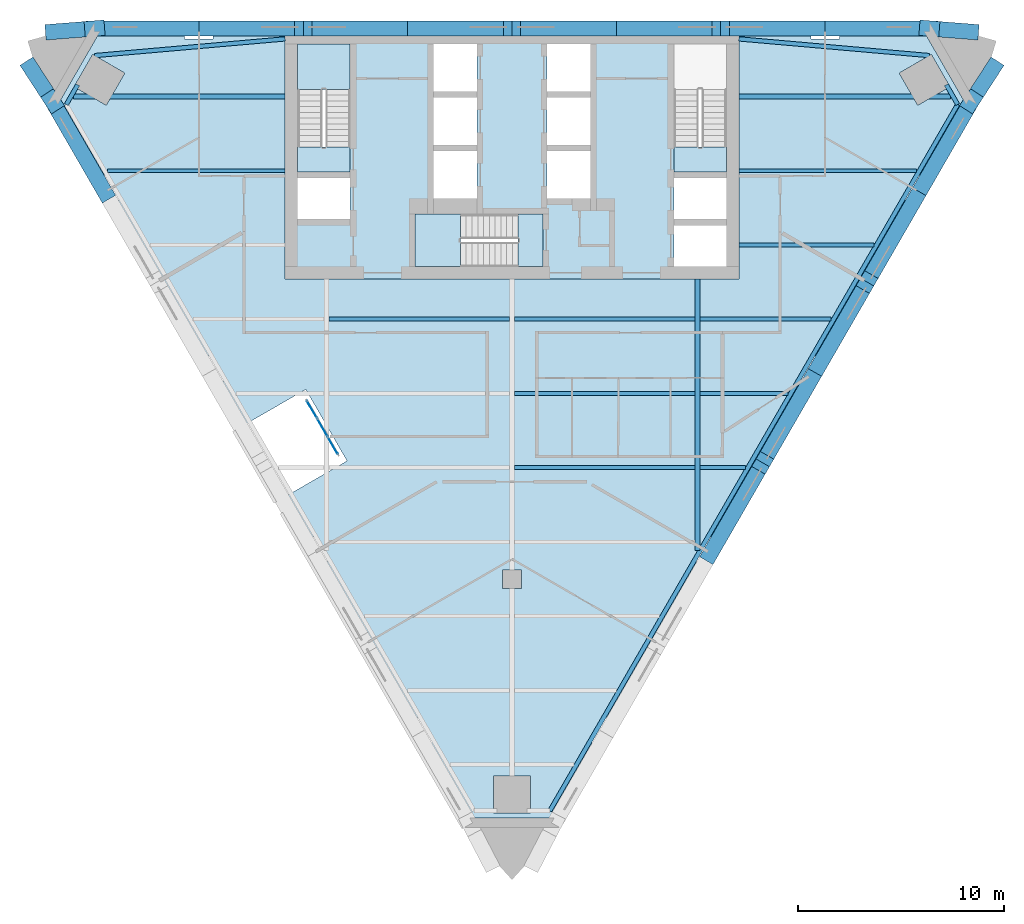
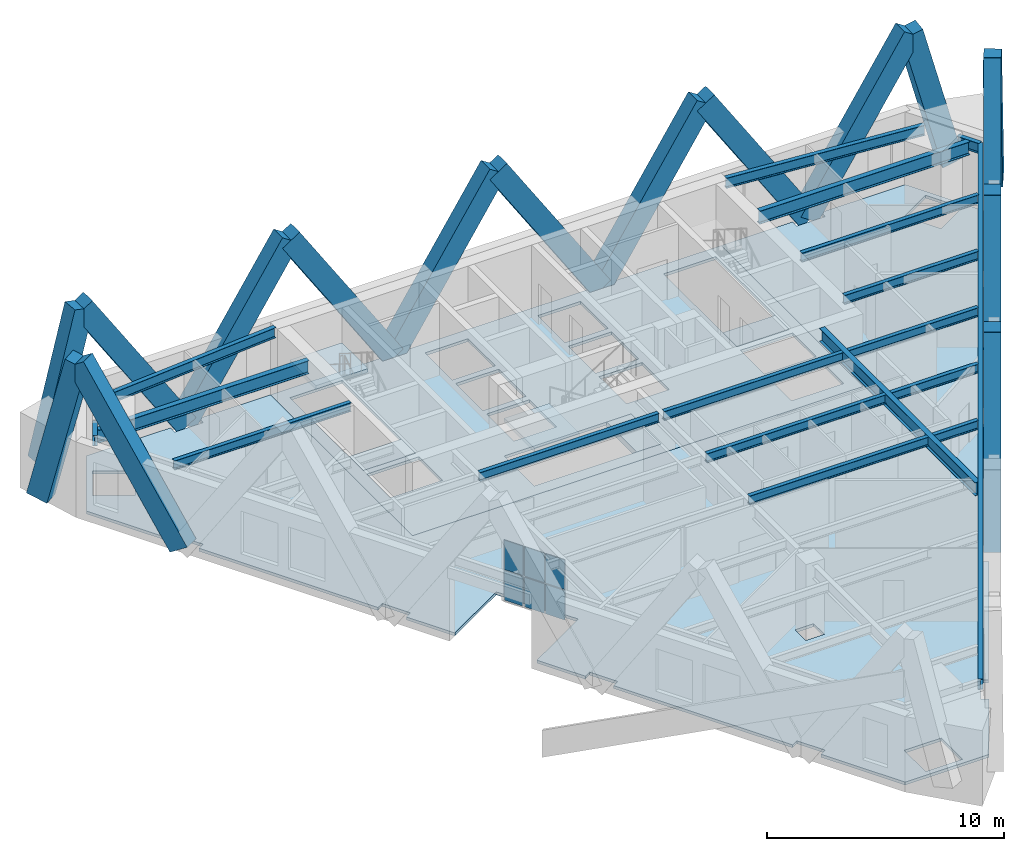
# One storey, part 3 of 9: 18 beams, 18 members, 7 slabs, 6 plates, 3 elements without a shape of their own.
"""IFC4 building model written with IfcOpenShell, lengths in metres."""

from ifc_helpers import new_model, si_unit, direction, frame, origin, origin_2d, place, context, subcontext, project, spatial, polyline, rectangle, i_section, outline, extrude, material, layer, layer_set, material_profile, profile_set, type_object, element, aggregate, save


model = new_model("IFC4")

# Units and contexts
model_context = context("Model", 3, precision=1e-05, world=origin(), true_north=direction((0.0, 1.0)))
body_context = subcontext(model_context, "Body", "Model", "MODEL_VIEW")
ifc_project = project(units=[si_unit("LENGTHUNIT", "METRE"), si_unit("AREAUNIT", "SQUARE_METRE"), si_unit("VOLUMEUNIT", "CUBIC_METRE"), si_unit("PLANEANGLEUNIT", "RADIAN"), si_unit("MASSUNIT", "GRAM", prefix="KILO")], contexts=[model_context])

# Site, building, storey
site_placement = place(None, origin())
site = spatial("IfcSite", under=ifc_project, at=site_placement, CompositionType="ELEMENT")
building_placement = place(site_placement, origin())
building = spatial("IfcBuilding", under=site, at=building_placement, Name="Aloe Facet Convention Tower", CompositionType="ELEMENT")
storey_placement = place(building_placement, frame((0.0, 0.0, 152.0)))
storey = spatial("IfcBuildingStorey", under=building, at=storey_placement, Name="L38", CompositionType="ELEMENT", Elevation=152.0)

# Beams
ifc_material_1 = material(Name="Steel S355", Category="steel")
ifc_material_profile_1 = material_profile(ifc_material_1, i_section(OverallWidth=0.19140625, OverallDepth=0.4599609375, WebThickness=0.010009765625, FlangeThickness=0.01611328125, FilletRadius=0.01025390625, at=origin_2d()), Name="UB 457x191x82")
ifc_profile_set_1 = profile_set([ifc_material_profile_1], Name="Steel S355")
beam_type_1 = type_object("IfcBeamType", Name="SF-B-UB457x191x82", PredefinedType="BEAM", material=ifc_profile_set_1)
beam_1_placement = place(storey_placement, frame((60.373779296875, 127.800048828125, 3.52001953125), z_axis=(1.0, 0.0, 0.0), x_axis=(0.0, 1.0, 0.0)))
element("IfcBeam", 1, at=beam_1_placement, inside=storey, type_object=beam_type_1, Name="Floor beam FB-Z3C-015", PredefinedType="BEAM", context=body_context, shape_type="SweptSolid", body=[
    extrude(i_section(OverallWidth=0.19140625, OverallDepth=0.4599609375, WebThickness=0.010009765625, FlangeThickness=0.01611328125, FilletRadius=0.01025390625, at=origin_2d()), origin(), (0.0, 0.0, 1.0), 8.626220703125),
])
for number, where, z_axis, x_axis, name in (
    (2, (71.12646484375, 120.60009765625, 3.52001953125), (1.0, 0.0, 0.0), (0.0, 1.0, 0.0), "Floor beam FB-Z3C-023"),
    (3, (80.12646484375, 113.39990234375, 3.52001953125), (1.0, 0.0, 0.0), (0.0, 1.0, 0.0), "Floor beam FB-Z3C-031"),
    (4, (80.12646484375, 117.0, 3.52001953125), (1.0, 0.0, 0.0), (0.0, 1.0, 0.0), "Floor beam FB-Z3C-032"),
    (5, (80.12646484375, 120.60009765625, 3.52001953125), (1.0, 0.0, 0.0), (0.0, 1.0, 0.0), "Floor beam FB-Z3C-033"),
):
    element("IfcBeam", number, at=place(storey_placement, frame(where, z_axis=z_axis, x_axis=x_axis)), inside=storey, type_object=beam_type_1, Name=name, PredefinedType="BEAM", context=body_context, shape_type="SweptSolid", body=[
        extrude(i_section(OverallWidth=0.19140625, OverallDepth=0.4599609375, WebThickness=0.010009765625, FlangeThickness=0.01611328125, FilletRadius=0.01025390625, at=origin_2d()), origin(), (0.0, 0.0, 1.0), 8.7470703125),
    ])
beam_2_placement = place(storey_placement, frame((89.12646484375, 113.39990234375, 3.52001953125), z_axis=(1.0, 0.0, 0.0), x_axis=(0.0, 1.0, 0.0)))
element("IfcBeam", 6, at=beam_2_placement, inside=storey, type_object=beam_type_1, Name="Floor beam FB-Z3C-034", PredefinedType="BEAM", context=body_context, shape_type="SweptSolid", body=[
    extrude(i_section(OverallWidth=0.19140625, OverallDepth=0.4599609375, WebThickness=0.010009765625, FlangeThickness=0.01611328125, FilletRadius=0.01025390625, at=origin_2d()), origin(), (0.0, 0.0, 1.0), 2.185791015625),
])
beam_3_placement = place(storey_placement, frame((89.12646484375, 117.0, 3.52001953125), z_axis=(1.0, 0.0, 0.0), x_axis=(0.0, 1.0, 0.0)))
element("IfcBeam", 7, at=beam_3_placement, inside=storey, type_object=beam_type_1, Name="Floor beam FB-Z3C-035", PredefinedType="BEAM", context=body_context, shape_type="SweptSolid", body=[
    extrude(i_section(OverallWidth=0.19140625, OverallDepth=0.4599609375, WebThickness=0.010009765625, FlangeThickness=0.01611328125, FilletRadius=0.01025390625, at=origin_2d()), origin(), (0.0, 0.0, 1.0), 4.264404296875),
])
beam_4_placement = place(storey_placement, frame((89.12646484375, 120.60009765625, 3.52001953125), z_axis=(1.0, 0.0, 0.0), x_axis=(0.0, 1.0, 0.0)))
element("IfcBeam", 8, at=beam_4_placement, inside=storey, type_object=beam_type_1, Name="Floor beam FB-Z3C-036", PredefinedType="BEAM", context=body_context, shape_type="SweptSolid", body=[
    extrude(i_section(OverallWidth=0.19140625, OverallDepth=0.4599609375, WebThickness=0.010009765625, FlangeThickness=0.01611328125, FilletRadius=0.01025390625, at=origin_2d()), origin(), (0.0, 0.0, 1.0), 6.3427734375),
])
beam_5_placement = place(storey_placement, frame((91.0, 124.199951171875, 3.52001953125), z_axis=(1.0, 0.0, 0.0), x_axis=(0.0, 1.0, 0.0)))
element("IfcBeam", 9, at=beam_5_placement, inside=storey, type_object=beam_type_1, Name="Floor beam FB-Z3C-037", PredefinedType="BEAM", context=body_context, shape_type="SweptSolid", body=[
    extrude(i_section(OverallWidth=0.19140625, OverallDepth=0.4599609375, WebThickness=0.010009765625, FlangeThickness=0.01611328125, FilletRadius=0.01025390625, at=origin_2d()), origin(), (0.0, 0.0, 1.0), 6.547607421875),
])
beam_6_placement = place(storey_placement, frame((91.0, 127.800048828125, 3.52001953125), z_axis=(1.0, 0.0, 0.0), x_axis=(0.0, 1.0, 0.0)))
element("IfcBeam", 10, at=beam_6_placement, inside=storey, type_object=beam_type_1, Name="Floor beam FB-Z3C-038", PredefinedType="BEAM", context=body_context, shape_type="SweptSolid", body=[
    extrude(i_section(OverallWidth=0.19140625, OverallDepth=0.4599609375, WebThickness=0.010009765625, FlangeThickness=0.01611328125, FilletRadius=0.01025390625, at=origin_2d()), origin(), (0.0, 0.0, 1.0), 8.626220703125),
])
ifc_material_2 = material(Name="Steel S355", Category="steel")
ifc_material_profile_2 = material_profile(ifc_material_2, i_section(OverallWidth=0.209228515625, OverallDepth=0.533203125, WebThickness=0.010009765625, FlangeThickness=0.015625, FilletRadius=0.0126953125, at=origin_2d()), Name="UB 533x210x92")
ifc_profile_set_2 = profile_set([ifc_material_profile_2], Name="Steel S355")
beam_type_2 = type_object("IfcBeamType", Name="SF-B-UB533x210x92", PredefinedType="BEAM", material=ifc_profile_set_2)
beam_7_placement = place(storey_placement, frame((58.385986328125, 131.016357421875, 3.4833984375), z_axis=(0.50002983664, 0.866008176907, 0.0), x_axis=(-0.866008176907, 0.50002983664, 0.0)))
element("IfcBeam", 11, at=beam_7_placement, inside=storey, type_object=beam_type_2, Name="Floor beam FB-Z3C-001", PredefinedType="BEAM", context=body_context, shape_type="SweptSolid", body=[
    extrude(i_section(OverallWidth=0.209228515625, OverallDepth=0.533203125, WebThickness=0.010009765625, FlangeThickness=0.015625, FilletRadius=0.0126953125, at=origin_2d()), origin(), (0.0, 0.0, 1.0), 1.10009765625),
])
for number, where, z_axis, x_axis, name in (
    (12, (59.75390625, 133.38525390625, 3.4833984375), (0.996184118201, 0.087276587035, 0.0), (-0.087276587035, 0.996184118201, 0.0), "Floor beam FB-Z3C-002"),
    (13, (100.24609375, 133.38525390625, 3.4833984375), (-0.996184118201, 0.087276587035, 0.0), (-0.087276587035, -0.996184118201, 0.0), "Floor beam FB-Z3C-006"),
):
    element("IfcBeam", number, at=place(storey_placement, frame(where, z_axis=z_axis, x_axis=x_axis)), inside=storey, type_object=beam_type_2, Name=name, PredefinedType="BEAM", context=body_context, shape_type="SweptSolid", body=[
        extrude(i_section(OverallWidth=0.209228515625, OverallDepth=0.533203125, WebThickness=0.010009765625, FlangeThickness=0.015625, FilletRadius=0.0126953125, at=origin_2d()), origin(), (0.0, 0.0, 1.0), 9.281494140625),
    ])
beam_8_placement = place(storey_placement, frame((101.06396484375, 131.968994140625, 3.4833984375), z_axis=(0.50002983664, -0.866008176907, 0.0), x_axis=(0.866008176907, 0.50002983664, 0.0)))
element("IfcBeam", 14, at=beam_8_placement, inside=storey, type_object=beam_type_2, Name="Floor beam FB-Z3C-007", PredefinedType="BEAM", context=body_context, shape_type="SweptSolid", body=[
    extrude(i_section(OverallWidth=0.209228515625, OverallDepth=0.533203125, WebThickness=0.010009765625, FlangeThickness=0.015625, FilletRadius=0.0126953125, at=origin_2d()), origin(), (0.0, 0.0, 1.0), 1.10009765625),
])
beam_9_placement = place(storey_placement, frame((101.614013671875, 131.016357421875, 3.4833984375), z_axis=(-0.499999016722, -0.866025971479, 0.0), x_axis=(0.866025971479, -0.499999016722, 0.0)))
element("IfcBeam", 15, at=beam_9_placement, inside=storey, type_object=beam_type_2, Name="Floor beam FB-Z3C-008", PredefinedType="BEAM", context=body_context, shape_type="SweptSolid", body=[
    extrude(i_section(OverallWidth=0.209228515625, OverallDepth=0.533203125, WebThickness=0.010009765625, FlangeThickness=0.015625, FilletRadius=0.0126953125, at=origin_2d()), origin(), (0.0, 0.0, 1.0), 39.55712890625),
])
ifc_material_3 = material(Name="Steel S355", Category="steel")
ifc_material_profile_3 = material_profile(ifc_material_3, i_section(OverallWidth=0.2529296875, OverallDepth=0.677978515625, WebThickness=0.01171875, FlangeThickness=0.01611328125, FilletRadius=0.01513671875, at=origin_2d()), Name="UB 686x254x125")
ifc_profile_set_3 = profile_set([ifc_material_profile_3], Name="Steel S355")
beam_type_3 = type_object("IfcBeamType", Name="SF-B-UB686x254x125", PredefinedType="BEAM", material=ifc_profile_set_3)
beam_10_placement = place(storey_placement, frame((58.73828125, 131.39990234375, 3.410888671875), z_axis=(1.0, 0.0, 0.0), x_axis=(0.0, 1.0, 0.0)))
element("IfcBeam", 16, at=beam_10_placement, inside=storey, type_object=beam_type_3, Name="Floor beam FB-Z3C-009", PredefinedType="BEAM", context=body_context, shape_type="SweptSolid", body=[
    extrude(i_section(OverallWidth=0.2529296875, OverallDepth=0.677978515625, WebThickness=0.01171875, FlangeThickness=0.01611328125, FilletRadius=0.01513671875, at=origin_2d()), origin(), (0.0, 0.0, 1.0), 10.26171875),
])
beam_11_placement = place(storey_placement, frame((89.0, 122.550048828125, 3.410888671875), z_axis=(0.0, -1.0, 0.0), x_axis=(1.0, 0.0, 0.0)))
element("IfcBeam", 17, at=beam_11_placement, inside=storey, type_object=beam_type_3, Name="Floor beam FB-Z3C-013", PredefinedType="BEAM", context=body_context, shape_type="SweptSolid", body=[
    extrude(i_section(OverallWidth=0.2529296875, OverallDepth=0.677978515625, WebThickness=0.01171875, FlangeThickness=0.01611328125, FilletRadius=0.01513671875, at=origin_2d()), origin(), (0.0, 0.0, 1.0), 13.162353515625),
])
beam_12_placement = place(storey_placement, frame((91.0, 131.39990234375, 3.410888671875), z_axis=(1.0, 0.0, 0.0), x_axis=(0.0, 1.0, 0.0)))
element("IfcBeam", 18, at=beam_12_placement, inside=storey, type_object=beam_type_3, Name="Floor beam FB-Z3C-014", PredefinedType="BEAM", context=body_context, shape_type="SweptSolid", body=[
    extrude(i_section(OverallWidth=0.2529296875, OverallDepth=0.677978515625, WebThickness=0.01171875, FlangeThickness=0.01611328125, FilletRadius=0.01513671875, at=origin_2d()), origin(), (0.0, 0.0, 1.0), 10.26171875),
])

# Members
ifc_material_4 = material(Name="Concrete C60/75, bronze oxide finish", Category="concrete")
ifc_material_profile_4 = material_profile(ifc_material_4, rectangle(XDim=0.75, YDim=1.0, at=origin_2d()), Name="STW-LM")
ifc_profile_set_4 = profile_set([ifc_material_profile_4], Name="Concrete C60/75, bronze oxide finish")
member_type = type_object("IfcMemberType", Name="STW-LM", PredefinedType="BRACE", material=ifc_profile_set_4)
for number, where, z_axis, x_axis, name in (
    (19, (95.182373046875, 134.699951171875, 0.0), (0.544289502455, 0.0, 0.838897453517), (0.0, 1.0, 0.0), "Lattice member LM-Z3-F1-R3-01"),
    (20, (95.182373046875, 134.699951171875, 0.0), (-0.544289502455, 0.0, 0.838897453517), (0.0, -1.0, 0.0), "Lattice member LM-Z3-F1-R3-02"),
    (21, (85.060791015625, 134.699951171875, 0.0), (0.544289502455, 0.0, 0.838897453517), (0.0, 1.0, 0.0), "Lattice member LM-Z3-F1-R3-03"),
    (22, (85.060791015625, 134.699951171875, 0.0), (-0.544289502455, 0.0, 0.838897453517), (0.0, -1.0, 0.0), "Lattice member LM-Z3-F1-R3-04"),
    (23, (74.939208984375, 134.699951171875, 0.0), (0.544289502455, 0.0, 0.838897453517), (0.0, 1.0, 0.0), "Lattice member LM-Z3-F1-R3-05"),
    (24, (74.939208984375, 134.699951171875, 0.0), (-0.544289502455, 0.0, 0.838897453517), (0.0, -1.0, 0.0), "Lattice member LM-Z3-F1-R3-06"),
    (25, (64.817626953125, 134.699951171875, 0.0), (0.544289502455, 0.0, 0.838897453517), (0.0, 1.0, 0.0), "Lattice member LM-Z3-F1-R3-07"),
    (26, (64.817626953125, 134.699951171875, 0.0), (-0.544289502455, 0.0, 0.838897453517), (0.0, -1.0, 0.0), "Lattice member LM-Z3-F1-R3-08"),
):
    element("IfcMember", number, at=place(storey_placement, frame(where, z_axis=z_axis, x_axis=x_axis)), inside=storey, type_object=member_type, Name=name, PredefinedType="BRACE", context=body_context, shape_type="SweptSolid", body=[
        extrude(rectangle(XDim=0.75, YDim=1.0, at=origin_2d()), origin(), (0.0, 0.0, 1.0), 9.298095703125),
    ])
for number, where, z_axis, x_axis, name in (
    (27, (60.2470703125, 126.783447265625, 0.0), (-0.272132057907, 0.471373475835, 0.838898795647), (-0.866037770685, -0.499978579288, 0.0), "Lattice member LM-Z3-F2-R3-01"),
    (28, (89.63134765625, 109.25244140625, 0.0), (0.272132057907, 0.471373475835, 0.838898795647), (-0.866037770685, 0.499978579288, 0.0), "Lattice member LM-Z3-F3-R3-04"),
):
    element("IfcMember", number, at=place(storey_placement, frame(where, z_axis=z_axis, x_axis=x_axis)), inside=storey, type_object=member_type, Name=name, PredefinedType="BRACE", context=body_context, shape_type="SweptSolid", body=[
        extrude(rectangle(XDim=0.75, YDim=1.0, at=origin_2d()), origin(), (0.0, 0.0, 1.0), 9.2978515625),
    ])
member_1_placement = place(storey_placement, frame((94.692138671875, 118.01806640625, 0.0), z_axis=(-0.272156370565, -0.471370107514, 0.838892801079), x_axis=(0.866016881694, -0.500014760403, 0.0)))
element("IfcMember", 29, at=member_1_placement, inside=storey, type_object=member_type, Name="Lattice member LM-Z3-F3-R3-05", PredefinedType="BRACE", context=body_context, shape_type="SweptSolid", body=[
    extrude(rectangle(XDim=0.75, YDim=1.0, at=origin_2d()), origin(), (0.0, 0.0, 1.0), 9.298095703125),
])
for number, where, z_axis, x_axis, name in (
    (30, (94.692138671875, 118.01806640625, 0.0), (0.272132057907, 0.471373475835, 0.838898795647), (-0.866037770685, 0.499978579288, 0.0), "Lattice member LM-Z3-F3-R3-06"),
    (31, (99.7529296875, 126.783447265625, 0.0), (-0.272159738981, -0.47134968398, 0.83890318386), (0.866004820053, -0.500035650373, 0.0), "Lattice member LM-Z3-F3-R3-07"),
    (32, (99.7529296875, 126.783447265625, 0.0), (0.272132057907, 0.471373475835, 0.838898795647), (-0.866037770685, 0.499978579288, 0.0), "Lattice member LM-Z3-F3-R3-08"),
):
    element("IfcMember", number, at=place(storey_placement, frame(where, z_axis=z_axis, x_axis=x_axis)), inside=storey, type_object=member_type, Name=name, PredefinedType="BRACE", context=body_context, shape_type="SweptSolid", body=[
        extrude(rectangle(XDim=0.75, YDim=1.0, at=origin_2d()), origin(), (0.0, 0.0, 1.0), 9.2978515625),
    ])
member_2_placement = place(storey_placement, frame((103.281982421875, 132.7060546875, 0.3154296875), z_axis=(-0.129604473118, -0.199808216073, 0.971225698454), x_axis=(0.838962928413, -0.544188574622, 0.0)))
element("IfcMember", 33, at=member_2_placement, inside=storey, type_object=member_type, Name="Lattice member LM-Z3-F6-R2-05", PredefinedType="BRACE", context=body_context, shape_type="SweptSolid", body=[
    extrude(rectangle(XDim=0.75, YDim=1.0, at=origin_2d()), origin(), (0.0, 0.0, 1.0), 7.706298828125),
])
for number, where, z_axis, x_axis, name in (
    (34, (102.14453125, 134.550537109375, 0.60302734375), (-0.255373235658, 0.020067850568, 0.966634259626), (-0.078340921398, -0.996926627207, 0.0), "Lattice member LM-Z3-F6-R2-06"),
    (35, (57.85546875, 134.550537109375, 0.60302734375), (0.255373235658, 0.020067850568, 0.966634259626), (-0.078340921398, 0.996926627207, 0.0), "Lattice member LM-Z3-F4-R2-05"),
):
    element("IfcMember", number, at=place(storey_placement, frame(where, z_axis=z_axis, x_axis=x_axis)), inside=storey, type_object=member_type, Name=name, PredefinedType="BRACE", context=body_context, shape_type="SweptSolid", body=[
        extrude(rectangle(XDim=0.75, YDim=1.0, at=origin_2d()), origin(), (0.0, 0.0, 1.0), 7.445556640625),
    ])
member_3_placement = place(storey_placement, frame((56.718017578125, 132.7060546875, 0.3154296875), z_axis=(0.129604473118, -0.199808216073, 0.971225698454), x_axis=(0.838962928413, 0.544188574622, 0.0)))
element("IfcMember", 36, at=member_3_placement, inside=storey, type_object=member_type, Name="Lattice member LM-Z3-F4-R2-06", PredefinedType="BRACE", context=body_context, shape_type="SweptSolid", body=[
    extrude(rectangle(XDim=0.75, YDim=1.0, at=origin_2d()), origin(), (0.0, 0.0, 1.0), 7.706298828125),
])

# Slabs
ifc_material_5 = material(Name="Concrete C60/75", Category="concrete")
ifc_layer_1 = layer(ifc_material_5, 0.14990234375)
ifc_layer_set_1 = layer_set([ifc_layer_1], Name="CR-S-FLOOR150-C6075")
slab_type_1 = type_object("IfcSlabType", Name="CR-S-FLOOR150-C6075", PredefinedType="FLOOR", material=ifc_layer_set_1)
slab_1_placement = place(storey_placement, frame((0.0, 0.0, -0.14990234375)))
element("IfcSlab", 37, at=slab_1_placement, inside=storey, type_object=slab_type_1, Name="Core floor L38", PredefinedType="FLOOR", context=body_context, shape_type="SweptSolid", body=[
    extrude(outline(polyline([(71.85009765625, 134.550048828125), (72.75, 134.550048828125), (75.60009765625, 134.550048828125), (76.5, 134.550048828125), (78.0, 134.550048828125), (78.89990234375, 134.550048828125), (81.10009765625, 134.550048828125), (82.0, 134.550048828125), (83.5, 134.550048828125), (84.39990234375, 134.550048828125), (87.25, 134.550048828125), (88.14990234375, 134.550048828125), (91.0, 134.550048828125), (91.0, 128.050048828125), (91.0, 127.14990234375), (91.0, 125.75), (91.0, 124.85009765625), (91.0, 122.550048828125), (88.14990234375, 122.550048828125), (87.25, 122.550048828125), (85.300048828125, 122.550048828125), (84.39990234375, 122.550048828125), (82.10009765625, 122.550048828125), (81.199951171875, 122.550048828125), (75.60009765625, 122.550048828125), (74.699951171875, 122.550048828125), (72.75, 122.550048828125), (71.85009765625, 122.550048828125), (69.0, 122.550048828125), (69.0, 124.85009765625), (69.0, 125.75), (69.0, 127.14990234375), (69.0, 128.050048828125), (69.0, 134.550048828125), (71.85009765625, 134.550048828125)]), holes=[polyline([(80.298828125, 123.14990234375), (81.5, 123.14990234375), (81.5, 125.699951171875), (80.298828125, 125.699951171875), (75.300048828125, 125.699951171875), (75.300048828125, 123.14990234375), (80.298828125, 123.14990234375)]), polyline([(69.60009765625, 125.449951171875), (72.14990234375, 125.449951171875), (72.14990234375, 127.449951171875), (69.60009765625, 127.449951171875), (69.60009765625, 125.449951171875)]), polyline([(76.199951171875, 126.449951171875), (78.300048828125, 126.449951171875), (78.300048828125, 128.75), (76.199951171875, 128.75), (76.199951171875, 126.449951171875)]), polyline([(78.300048828125, 129.050048828125), (78.300048828125, 131.35009765625), (76.199951171875, 131.35009765625), (76.199951171875, 129.050048828125), (78.300048828125, 129.050048828125)]), polyline([(69.60009765625, 133.949951171875), (69.60009765625, 128.951171875), (69.60009765625, 127.75), (72.14990234375, 127.75), (72.14990234375, 128.951171875), (72.14990234375, 133.949951171875), (69.60009765625, 133.949951171875)]), polyline([(76.199951171875, 131.64990234375), (78.300048828125, 131.64990234375), (78.300048828125, 133.949951171875), (76.199951171875, 133.949951171875), (76.199951171875, 131.64990234375)]), polyline([(90.39990234375, 123.14990234375), (90.39990234375, 125.14990234375), (87.85009765625, 125.14990234375), (87.85009765625, 123.14990234375), (90.39990234375, 123.14990234375)]), polyline([(87.85009765625, 125.449951171875), (90.39990234375, 125.449951171875), (90.39990234375, 127.449951171875), (87.85009765625, 127.449951171875), (87.85009765625, 125.449951171875)]), polyline([(81.699951171875, 126.449951171875), (83.800048828125, 126.449951171875), (83.800048828125, 128.75), (81.699951171875, 128.75), (81.699951171875, 126.449951171875)]), polyline([(83.800048828125, 129.050048828125), (83.800048828125, 131.35009765625), (81.699951171875, 131.35009765625), (81.699951171875, 129.050048828125), (83.800048828125, 129.050048828125)]), polyline([(87.85009765625, 133.949951171875), (87.85009765625, 128.951171875), (87.85009765625, 127.75), (90.39990234375, 127.75), (90.39990234375, 128.951171875), (90.39990234375, 133.949951171875), (87.85009765625, 133.949951171875)]), polyline([(81.699951171875, 131.64990234375), (83.800048828125, 131.64990234375), (83.800048828125, 133.949951171875), (81.699951171875, 133.949951171875), (81.699951171875, 131.64990234375)])]), origin(), (0.0, 0.0, 1.0), 0.14990234375),
])
ifc_material_6 = material(Name="Concrete C60/75", Category="concrete")
ifc_layer_2 = layer(ifc_material_6, 0.300048828125)
ifc_layer_set_2 = layer_set([ifc_layer_2], Name="CR-S-FLOOR300-C6075")
slab_type_2 = type_object("IfcSlabType", Name="CR-S-FLOOR300-C6075", PredefinedType="FLOOR", material=ifc_layer_set_2)
slab_2_placement = place(storey_placement, frame((0.0, 0.0, -0.300048828125)))
element("IfcSlab", 38, at=slab_2_placement, inside=storey, type_object=slab_type_2, Name="Stair landing floor L38", PredefinedType="FLOOR", context=body_context, shape_type="SweptSolid", body=[
    extrude(outline(polyline([(72.14990234375, 127.75), (72.14990234375, 128.951171875), (69.60009765625, 128.951171875), (69.60009765625, 127.75), (72.14990234375, 127.75)])), origin(), (0.0, 0.0, 1.0), 0.300048828125),
])
slab_3_placement = place(storey_placement, frame((0.0, 0.0, -0.300048828125)))
element("IfcSlab", 39, at=slab_3_placement, inside=storey, type_object=slab_type_2, Name="Stair landing floor L38", PredefinedType="FLOOR", context=body_context, shape_type="SweptSolid", body=[
    extrude(outline(polyline([(90.39990234375, 127.75), (90.39990234375, 128.951171875), (87.85009765625, 128.951171875), (87.85009765625, 127.75), (90.39990234375, 127.75)])), origin(), (0.0, 0.0, 1.0), 0.300048828125),
])
slab_4_placement = place(storey_placement, frame((0.0, 0.0, -0.300048828125)))
element("IfcSlab", 40, at=slab_4_placement, inside=storey, type_object=slab_type_2, Name="Stair landing floor L38", PredefinedType="FLOOR", context=body_context, shape_type="SweptSolid", body=[
    extrude(outline(polyline([(81.5, 125.699951171875), (80.298828125, 125.699951171875), (80.298828125, 123.14990234375), (81.5, 123.14990234375), (81.5, 125.699951171875)])), origin(), (0.0, 0.0, 1.0), 0.300048828125),
])

# Stair, slab
ifc_material_7 = material(Name="Concrete C50/60", Category="concrete")
stair_type = type_object("IfcStairType", Name="CR-ST-22R", PredefinedType="HALF_TURN_STAIR", material=ifc_material_7)
stair_1_placement = place(storey_placement, origin())
stair_1 = element("IfcStair", 41, at=stair_1_placement, inside=storey, type_object=stair_type, Name="L38 Protected exit stair ST1", PredefinedType="HALF_TURN_STAIR")
ifc_material_8 = material(Name="Concrete C50/60", Category="concrete")
ifc_layer_3 = layer(ifc_material_8, 0.199951171875)
ifc_layer_set_3 = layer_set([ifc_layer_3], Name="CR-SL-LANDING")
slab_type_3 = type_object("IfcSlabType", Name="CR-SL-LANDING", PredefinedType="LANDING", material=ifc_layer_set_3)
slab_5_placement = place(storey_placement, frame((0.0, 0.0, 1.75)))
slab_5 = element("IfcSlab", 42, at=slab_5_placement, type_object=slab_type_3, Name="ST1 landing 1", PredefinedType="LANDING", context=body_context, shape_type="SweptSolid", body=[
    extrude(outline(polyline([(72.14990234375, 131.75), (72.14990234375, 133.949951171875), (69.60009765625, 133.949951171875), (69.60009765625, 131.75), (72.14990234375, 131.75)])), origin(), (0.0, 0.0, 1.0), 0.199951171875),
])
aggregate(stair_1, [slab_5])

stair_2_placement = place(storey_placement, origin())
stair_2 = element("IfcStair", 43, at=stair_2_placement, inside=storey, type_object=stair_type, Name="L38 Protected exit stair ST3", PredefinedType="HALF_TURN_STAIR")
slab_6_placement = place(storey_placement, frame((0.0, 0.0, 1.75)))
slab_6 = element("IfcSlab", 44, at=slab_6_placement, type_object=slab_type_3, Name="ST3 landing 1", PredefinedType="LANDING", context=body_context, shape_type="SweptSolid", body=[
    extrude(outline(polyline([(77.5, 125.699951171875), (75.300048828125, 125.699951171875), (75.300048828125, 123.14990234375), (77.5, 123.14990234375), (77.5, 125.699951171875)])), origin(), (0.0, 0.0, 1.0), 0.199951171875),
])
aggregate(stair_2, [slab_6])

# Curtain wall, plates
ifc_material_9 = material(Name="Aluminium, anodised", Category="aluminium")
curtain_wall_type = type_object("IfcCurtainWallType", Name="EV-CW-TERRACE", PredefinedType="USERDEFINED", material=ifc_material_9)
curtain_wall_placement = place(storey_placement, origin())
curtain_wall = element("IfcCurtainWall", 45, at=curtain_wall_placement, inside=storey, type_object=curtain_wall_type, Name="CW-T08", ObjectType="TERRACE BACK GLAZING", PredefinedType="USERDEFINED")
ifc_material_10 = material(Name="Clear double glazing", Category="glass")
ifc_layer_4 = layer(ifc_material_10, 0.028076171875)
ifc_layer_set_4 = layer_set([ifc_layer_4], Name="EV-PANEL-TERRACE")
plate_type = type_object("IfcPlateType", Name="EV-PANEL-TERRACE", PredefinedType="CURTAIN_PANEL", material=ifc_layer_set_4)
plate_1_placement = place(storey_placement, frame((70.295166015625, 116.229736328125, -0.090087890625), z_axis=(0.0, 0.0, 1.0), x_axis=(0.49999999997, -0.866025403802, 0.0)))
plate_1 = element("IfcPlate", 46, at=plate_1_placement, type_object=plate_type, Name="CW-T08 panel 1.1", PredefinedType="CURTAIN_PANEL", context=body_context, shape_type="SweptSolid", body=[
    extrude(rectangle(XDim=0.943359375, YDim=0.028076171875, at=origin_2d()), origin(), (0.0, 0.0, 1.0), 1.52099609375),
])
plate_2_placement = place(storey_placement, frame((70.295166015625, 116.229736328125, 1.490966796875), z_axis=(0.0, 0.0, 1.0), x_axis=(0.49999999997, -0.866025403802, 0.0)))
plate_2 = element("IfcPlate", 47, at=plate_2_placement, type_object=plate_type, Name="CW-T08 panel 1.2", PredefinedType="CURTAIN_PANEL", context=body_context, shape_type="SweptSolid", body=[
    extrude(rectangle(XDim=0.943359375, YDim=0.028076171875, at=origin_2d()), origin(), (0.0, 0.0, 1.0), 1.52099609375),
])
plate_3_placement = place(storey_placement, frame((70.804443359375, 115.34765625, -0.090087890625), z_axis=(0.0, 0.0, 1.0), x_axis=(0.49999999997, -0.866025403802, 0.0)))
plate_3 = element("IfcPlate", 48, at=plate_3_placement, type_object=plate_type, Name="CW-T08 panel 2.1", PredefinedType="CURTAIN_PANEL", context=body_context, shape_type="SweptSolid", body=[
    extrude(rectangle(XDim=0.973388671875, YDim=0.028076171875, at=origin_2d()), origin(), (0.0, 0.0, 1.0), 1.52099609375),
])
plate_4_placement = place(storey_placement, frame((70.804443359375, 115.34765625, 1.490966796875), z_axis=(0.0, 0.0, 1.0), x_axis=(0.49999999997, -0.866025403802, 0.0)))
plate_4 = element("IfcPlate", 49, at=plate_4_placement, type_object=plate_type, Name="CW-T08 panel 2.2", PredefinedType="CURTAIN_PANEL", context=body_context, shape_type="SweptSolid", body=[
    extrude(rectangle(XDim=0.973388671875, YDim=0.028076171875, at=origin_2d()), origin(), (0.0, 0.0, 1.0), 1.52099609375),
])
plate_5_placement = place(storey_placement, frame((71.3134765625, 114.4658203125, -0.090087890625), z_axis=(0.0, 0.0, 1.0), x_axis=(0.49999999997, -0.866025403802, 0.0)))
plate_5 = element("IfcPlate", 50, at=plate_5_placement, type_object=plate_type, Name="CW-T08 panel 3.1", PredefinedType="CURTAIN_PANEL", context=body_context, shape_type="SweptSolid", body=[
    extrude(rectangle(XDim=0.943359375, YDim=0.028076171875, at=origin_2d()), origin(), (0.0, 0.0, 1.0), 1.52099609375),
])
plate_6_placement = place(storey_placement, frame((71.3134765625, 114.4658203125, 1.490966796875), z_axis=(0.0, 0.0, 1.0), x_axis=(0.49999999997, -0.866025403802, 0.0)))
plate_6 = element("IfcPlate", 51, at=plate_6_placement, type_object=plate_type, Name="CW-T08 panel 3.2", PredefinedType="CURTAIN_PANEL", context=body_context, shape_type="SweptSolid", body=[
    extrude(rectangle(XDim=0.943359375, YDim=0.028076171875, at=origin_2d()), origin(), (0.0, 0.0, 1.0), 1.52099609375),
])
aggregate(curtain_wall, [plate_1, plate_2, plate_3, plate_4, plate_5, plate_6])

# Slab
ifc_material_11 = material(Name="Concrete C35/45", Category="concrete")
ifc_layer_5 = layer(ifc_material_11, 0.14990234375)
ifc_layer_set_5 = layer_set([ifc_layer_5], Name="SF-FS-150")
slab_type_4 = type_object("IfcSlabType", Name="SF-FS-150", PredefinedType="FLOOR", material=ifc_layer_set_5)
slab_7_placement = place(storey_placement, frame((0.0, 0.0, -0.14990234375)))
element("IfcSlab", 52, at=slab_7_placement, inside=storey, type_object=slab_type_4, Name="Floor slab L38-1", PredefinedType="FLOOR", context=body_context, shape_type="SweptSolid", body=[
    extrude(outline(polyline([(60.0166015625, 134.550048828125), (64.124267578125, 134.550048828125), (64.124267578125, 134.199951171875), (64.2216796875, 134.199951171875), (64.58642578125, 134.199951171875), (64.817626953125, 134.199951171875), (65.048828125, 134.199951171875), (65.413818359375, 134.199951171875), (65.510986328125, 134.199951171875), (65.510986328125, 134.550048828125), (69.0, 134.550048828125), (69.0, 128.050048828125), (69.0, 127.14990234375), (69.0, 125.75), (69.0, 124.85009765625), (69.0, 122.550048828125), (71.85009765625, 122.550048828125), (72.75, 122.550048828125), (74.699951171875, 122.550048828125), (75.60009765625, 122.550048828125), (81.199951171875, 122.550048828125), (82.10009765625, 122.550048828125), (84.39990234375, 122.550048828125), (85.300048828125, 122.550048828125), (87.25, 122.550048828125), (88.14990234375, 122.550048828125), (91.0, 122.550048828125), (91.0, 124.85009765625), (91.0, 125.75), (91.0, 127.14990234375), (91.0, 128.050048828125), (91.0, 134.550048828125), (94.489013671875, 134.550048828125), (94.489013671875, 134.199951171875), (94.586181640625, 134.199951171875), (94.951171875, 134.199951171875), (95.182373046875, 134.199951171875), (95.41357421875, 134.199951171875), (95.7783203125, 134.199951171875), (95.875732421875, 134.199951171875), (95.875732421875, 134.550048828125), (99.9833984375, 134.550048828125), (102.0234375, 131.016357421875), (99.9697265625, 127.458984375), (99.66650390625, 127.634033203125), (99.617919921875, 127.5498046875), (99.31982421875, 127.033447265625), (99.108154296875, 126.666748046875), (98.97314453125, 126.43310546875), (99.2763671875, 126.258056640625), (94.908935546875, 118.693603515625), (94.605712890625, 118.868408203125), (94.55712890625, 118.7841796875), (94.374755859375, 118.46826171875), (94.259033203125, 118.26806640625), (94.1435546875, 118.06787109375), (93.961181640625, 117.751708984375), (93.912353515625, 117.66748046875), (94.215576171875, 117.49267578125), (89.84814453125, 109.927978515625), (89.544921875, 110.10302734375), (89.496337890625, 110.018798828125), (89.3740234375, 109.806884765625), (89.31396484375, 109.70263671875), (89.1982421875, 109.50244140625), (89.14599609375, 109.411865234375), (88.900390625, 108.986328125), (88.851806640625, 108.902099609375), (89.15478515625, 108.72705078125), (84.787353515625, 101.16259765625), (84.484130859375, 101.33740234375), (84.435546875, 101.253173828125), (84.313232421875, 101.04150390625), (84.253173828125, 100.937255859375), (83.791015625, 100.136474609375), (84.093994140625, 99.96142578125), (82.040283203125, 96.404296875), (77.959716796875, 96.404296875), (75.906005859375, 99.96142578125), (76.208984375, 100.136474609375), (75.97802734375, 100.536865234375), (75.71533203125, 100.99169921875), (75.564453125, 101.253173828125), (75.515869140625, 101.33740234375), (75.212646484375, 101.16259765625), (70.84521484375, 108.72705078125), (71.148193359375, 108.902099609375), (71.099609375, 108.986328125), (71.050048828125, 109.072509765625), (70.917236328125, 109.30224609375), (70.455078125, 110.10302734375), (70.15185546875, 109.927978515625), (68.96826171875, 111.978271484375), (71.999267578125, 113.728271484375), (69.999267578125, 117.1923828125), (66.96826171875, 115.4423828125), (65.784423828125, 117.49267578125), (66.087646484375, 117.66748046875), (66.038818359375, 117.751708984375), (65.86865234375, 118.046630859375), (65.8564453125, 118.06787109375), (65.8564453125, 118.06787109375), (65.394287109375, 118.868408203125), (65.091064453125, 118.693603515625), (60.7236328125, 126.258056640625), (61.02685546875, 126.43310546875), (60.68017578125, 127.033447265625), (60.626708984375, 127.1259765625), (60.564453125, 127.233642578125), (60.382080078125, 127.5498046875), (60.33349609375, 127.634033203125), (60.0302734375, 127.458984375), (57.9765625, 131.016357421875), (60.0166015625, 134.550048828125)]), holes=[polyline([(61.221923828125, 132.53759765625), (59.6630859375, 133.4375), (58.76318359375, 131.878662109375), (60.322021484375, 130.978759765625), (61.221923828125, 132.53759765625)]), polyline([(79.10009765625, 98.4541015625), (79.10009765625, 96.654296875), (80.89990234375, 96.654296875), (80.89990234375, 98.4541015625), (79.10009765625, 98.4541015625)]), polyline([(79.550048828125, 107.550048828125), (80.449951171875, 107.550048828125), (80.449951171875, 108.449951171875), (79.550048828125, 108.449951171875), (79.550048828125, 107.550048828125)]), polyline([(99.677978515625, 130.978759765625), (101.23681640625, 131.878662109375), (100.3369140625, 133.4375), (98.778076171875, 132.53759765625), (99.677978515625, 130.978759765625)])]), origin(), (0.0, 0.0, 1.0), 0.14990234375),
])

save(model, "model.ifc")
